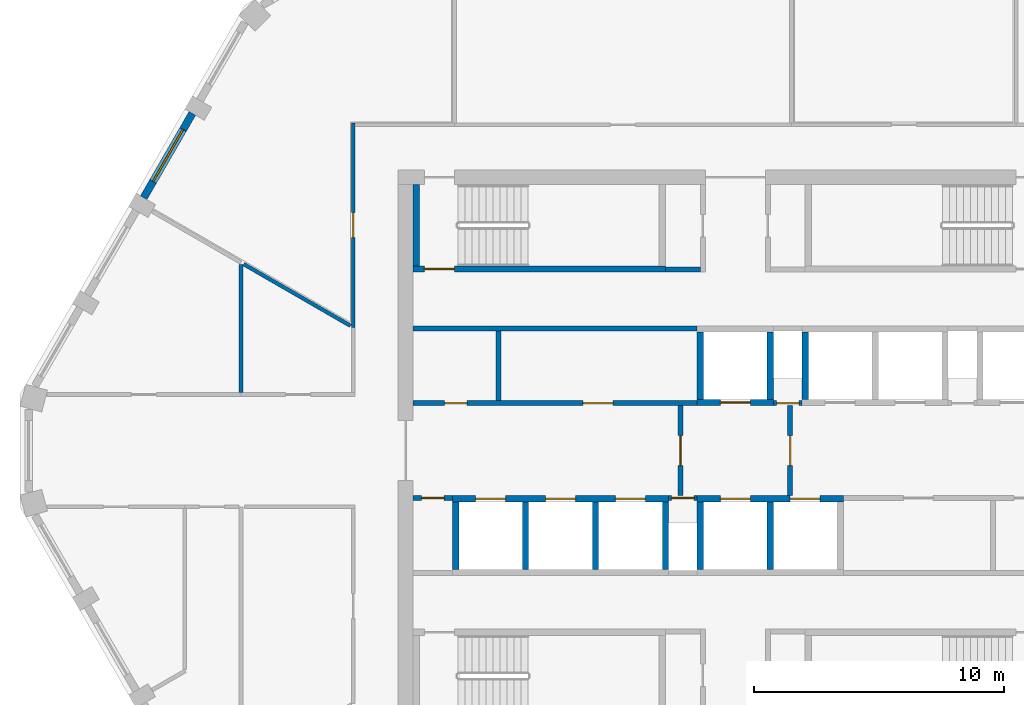
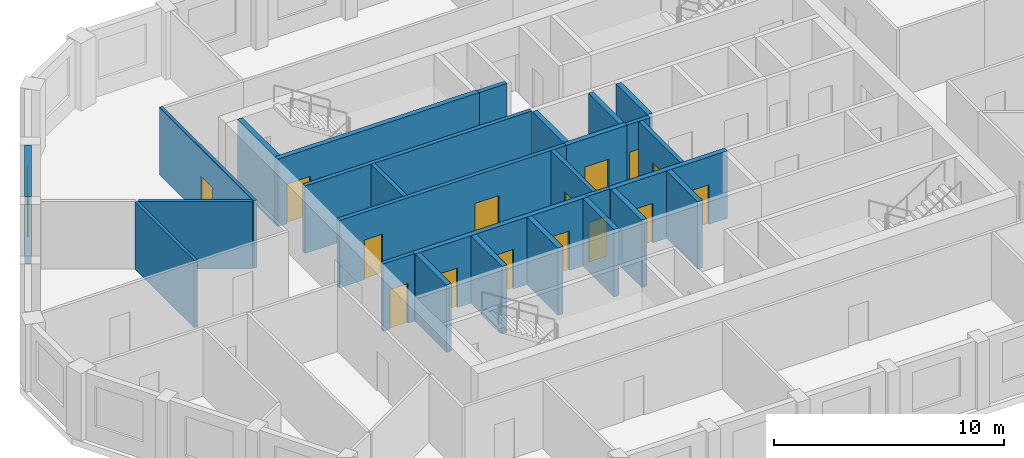
# One storey, part 3 of 10: 27 walls, 15 doors, 1 window, 16 openings.
"""IFC4 building model written with IfcOpenShell, lengths in metres."""

from ifc_helpers import new_model, si_unit, direction, frame, frame_2d, origin, place, context, subcontext, project, spatial, polyline, rectangle, outline, extrude, material, layer, layer_set, type_object, element, fill, save


model = new_model("IFC4")

# Units and contexts
model_context = context("Model", 3, precision=1e-05, world=origin(), true_north=direction((0.0, 1.0)))
body_context = subcontext(model_context, "Body", "Model", "MODEL_VIEW")
ifc_project = project(units=[si_unit("LENGTHUNIT", "METRE"), si_unit("AREAUNIT", "SQUARE_METRE"), si_unit("VOLUMEUNIT", "CUBIC_METRE"), si_unit("PLANEANGLEUNIT", "RADIAN"), si_unit("MASSUNIT", "GRAM", prefix="KILO")], contexts=[model_context])

# Site, building, storey
site_placement = place(None, origin())
site = spatial("IfcSite", under=ifc_project, at=site_placement, CompositionType="ELEMENT")
building_placement = place(site_placement, origin())
building = spatial("IfcBuilding", under=site, at=building_placement, Name="Dhurran Vertical Campus", CompositionType="ELEMENT")
storey_placement = place(building_placement, frame((0.0, 0.0, 298.199951171875)))
storey = spatial("IfcBuildingStorey", under=building, at=storey_placement, Name="L74", CompositionType="ELEMENT", Elevation=298.199951171875)

# Wall, opening, window
ifc_material_1 = material(Name="Precast concrete C50/60", Category="concrete")
ifc_layer_1 = layer(ifc_material_1, 0.300048828125)
ifc_layer_set_1 = layer_set([ifc_layer_1], Name="Precast concrete C50/60")
wall_type_1 = type_object("IfcWallType", Name="Precast spandrel wall 300", PredefinedType="SOLIDWALL", material=ifc_layer_set_1)
wall_1_placement = place(storey_placement, frame((-21.744384765625, 13.506103515625, 0.0), z_axis=(0.0, 0.0, 1.0), x_axis=(-0.499984428715, -0.866034393683, 0.0)))
wall_1 = element("IfcWall", 1, at=wall_1_placement, inside=storey, type_object=wall_type_1, Name="EW1 L74.27", PredefinedType="SOLIDWALL", context=body_context, shape_type="SweptSolid", body=[
    extrude(rectangle(XDim=3.89892578125, YDim=0.300048828125, at=frame_2d((1.949462890625, 0.0))), origin(), (0.0, 0.0, 1.0), 3.574951171875),
])
opening_1_placement = place(wall_1_placement, frame((0.74951171875, 0.0, 0.89990234375)))
opening_1 = element("IfcOpeningElement", 2, at=opening_1_placement, cuts=wall_1, Name="Opening WT1", PredefinedType="OPENING", context=body_context, shape_type="SweptSolid", body=[
    extrude(rectangle(XDim=2.39990234375, YDim=2.10009765625, at=frame_2d((1.199951171875, 1.050048828125))), frame((0.0, 0.159912109375, 0.0), z_axis=(0.0, -1.0, 0.0), x_axis=(1.0, 0.0, 0.0)), (0.0, 0.0, 1.0), 0.320068359375),
])
ifc_material_2 = material(Name="Aluminium frame with solar-control glass", Category="aluminium")
window_type = type_object("IfcWindowType", Name="Punched window 2400 x 2100", PartitioningType="SINGLE_PANEL", PredefinedType="WINDOW", material=ifc_material_2)
window_placement = place(opening_1_placement, origin())
window = element("IfcWindow", 3, at=window_placement, inside=storey, type_object=window_type, Name="WT1 L74.27", OverallHeight=2.10009765625, OverallWidth=2.39990234375, PartitioningType="SINGLE_PANEL", PredefinedType="WINDOW", context=body_context, shape_type="SweptSolid", body=[
    extrude(rectangle(XDim=2.39990234375, YDim=2.10009765625, at=frame_2d((1.199951171875, 1.050048828125))), frame((0.0, 0.030029296875, 0.0), z_axis=(0.0, -1.0, 0.0), x_axis=(1.0, 0.0, 0.0)), (0.0, 0.0, 1.0), 0.06005859375),
])
fill(opening_1, window)

# Wall, opening, door
ifc_material_3 = material(Name="Fire-rated masonry blockwork", Category="masonry")
ifc_layer_2 = layer(ifc_material_3, 0.199951171875)
ifc_layer_set_2 = layer_set([ifc_layer_2], Name="Fire-rated masonry blockwork")
wall_type_2 = type_object("IfcWallType", Name="co-FIRE-PARTITION-200", PredefinedType="PARTITIONING", material=ifc_layer_set_2)
wall_2_placement = place(storey_placement, frame((-2.199951171875, -1.800048828125, 0.0), z_axis=(0.0, 0.0, 1.0), x_axis=(0.0, 1.0, 0.0)))
wall_2 = element("IfcWall", 4, at=wall_2_placement, inside=storey, type_object=wall_type_2, Name="Firefighting lobby wall W L74", PredefinedType="PARTITIONING", context=body_context, shape_type="SweptSolid", body=[
    extrude(rectangle(XDim=3.60009765625, YDim=0.199951171875, at=frame_2d((1.800048828125, 0.0))), origin(), (0.0, 0.0, 1.0), 3.574951171875),
])
opening_2_placement = place(wall_2_placement, frame((1.199951171875, 0.0, 0.0)))
opening_2 = element("IfcOpeningElement", 5, at=opening_2_placement, cuts=wall_2, Name="Opening FL1", PredefinedType="OPENING", context=body_context, shape_type="SweptSolid", body=[
    extrude(rectangle(XDim=1.199951171875, YDim=2.10009765625, at=frame_2d((0.60009765625, 1.050048828125))), frame((0.0, 0.10986328125, 0.0), z_axis=(0.0, -1.0, 0.0), x_axis=(1.0, 0.0, 0.0)), (0.0, 0.0, 1.0), 0.219970703125),
])
ifc_material_4 = material(Name="Fire-rated steel door set", Category="steel")
door_type_1 = type_object("IfcDoorType", Name="co-D-FFLOBBY 1200x2100", OperationType="SINGLE_SWING_LEFT", PredefinedType="DOOR", material=ifc_material_4)
door_1_placement = place(opening_2_placement, origin())
door_1 = element("IfcDoor", 6, at=door_1_placement, inside=storey, type_object=door_type_1, Name="Firefighting lobby door W L74", OperationType="SINGLE_SWING_LEFT", OverallHeight=2.10009765625, OverallWidth=1.199951171875, PredefinedType="DOOR", context=body_context, shape_type="SweptSolid", body=[
    extrude(rectangle(XDim=1.199951171875, YDim=2.10009765625, at=frame_2d((0.60009765625, 1.050048828125))), frame((0.0, 0.02490234375, 0.0), z_axis=(0.0, -1.0, 0.0), x_axis=(1.0, 0.0, 0.0)), (0.0, 0.0, 1.0), 0.050048828125),
])
fill(opening_2, door_1)

wall_3_placement = place(storey_placement, frame((2.199951171875, -1.800048828125, 0.0), z_axis=(0.0, 0.0, 1.0), x_axis=(0.0, 1.0, 0.0)))
wall_3 = element("IfcWall", 7, at=wall_3_placement, inside=storey, type_object=wall_type_2, Name="Firefighting lobby wall E L74", PredefinedType="PARTITIONING", context=body_context, shape_type="SweptSolid", body=[
    extrude(rectangle(XDim=3.60009765625, YDim=0.199951171875, at=frame_2d((1.800048828125, 0.0))), origin(), (0.0, 0.0, 1.0), 3.574951171875),
])
opening_3_placement = place(wall_3_placement, frame((1.199951171875, 0.0, 0.0)))
opening_3 = element("IfcOpeningElement", 8, at=opening_3_placement, cuts=wall_3, Name="Opening FL2", PredefinedType="OPENING", context=body_context, shape_type="SweptSolid", body=[
    extrude(rectangle(XDim=1.199951171875, YDim=2.10009765625, at=frame_2d((0.60009765625, 1.050048828125))), frame((0.0, 0.10986328125, 0.0), z_axis=(0.0, -1.0, 0.0), x_axis=(1.0, 0.0, 0.0)), (0.0, 0.0, 1.0), 0.219970703125),
])
door_2_placement = place(opening_3_placement, origin())
door_2 = element("IfcDoor", 9, at=door_2_placement, inside=storey, type_object=door_type_1, Name="Firefighting lobby door E L74", OperationType="SINGLE_SWING_LEFT", OverallHeight=2.10009765625, OverallWidth=1.199951171875, PredefinedType="DOOR", context=body_context, shape_type="SweptSolid", body=[
    extrude(rectangle(XDim=1.199951171875, YDim=2.10009765625, at=frame_2d((0.60009765625, 1.050048828125))), frame((0.0, 0.02490234375, 0.0), z_axis=(0.0, -1.0, 0.0), x_axis=(1.0, 0.0, 0.0)), (0.0, 0.0, 1.0), 0.050048828125),
])
fill(opening_3, door_2)

# Walls
wall_4_placement = place(storey_placement, frame((-2.800048828125, 7.25, 0.0), z_axis=(0.0, 0.0, 1.0), x_axis=(1.0, 0.0, 0.0)))
element("IfcWall", 10, at=wall_4_placement, inside=storey, type_object=wall_type_2, Name="Core partition sl-NW-S L74", PredefinedType="PARTITIONING", context=body_context, shape_type="SweptSolid", body=[
    extrude(rectangle(XDim=1.400146484375, YDim=0.199951171875, at=frame_2d((0.7001953125, 0.0))), origin(), (0.0, 0.0, 1.0), 3.574951171875),
])
wall_5_placement = place(storey_placement, frame((-9.487548828125, 2.0, 0.0), z_axis=(0.0, 0.0, 1.0), x_axis=(0.0, 1.0, 0.0)))
element("IfcWall", 11, at=wall_5_placement, inside=storey, type_object=wall_type_2, Name="Core partition fr-N0-cut0 L74", PredefinedType="PARTITIONING", context=body_context, shape_type="SweptSolid", body=[
    extrude(rectangle(XDim=2.800048828125, YDim=0.199951171875, at=frame_2d((1.39990234375, 0.0))), origin(), (0.0, 0.0, 1.0), 3.574951171875),
])

# Wall, openings, doors
wall_6_placement = place(storey_placement, frame((-12.89990234375, 1.89990234375, 0.0), z_axis=(0.0, 0.0, 1.0), x_axis=(1.0, 0.0, 0.0)))
wall_6 = element("IfcWall", 12, at=wall_6_placement, inside=storey, type_object=wall_type_2, Name="Core partition fr-N0-f L74", PredefinedType="PARTITIONING", context=body_context, shape_type="SweptSolid", body=[
    extrude(rectangle(XDim=11.375, YDim=0.199951171875, at=frame_2d((5.6875, 0.0))), origin(), (0.0, 0.0, 1.0), 3.574951171875),
])
opening_4_placement = place(wall_6_placement, frame((1.25634765625, 0.0, 0.0)))
opening_4 = element("IfcOpeningElement", 13, at=opening_4_placement, cuts=wall_6, Name="Opening T22-C5", PredefinedType="OPENING", context=body_context, shape_type="SweptSolid", body=[
    extrude(rectangle(XDim=0.89990234375, YDim=2.10009765625, at=frame_2d((0.449951171875, 1.050048828125))), frame((0.0, 0.10986328125, 0.0), z_axis=(0.0, -1.0, 0.0), x_axis=(1.0, 0.0, 0.0)), (0.0, 0.0, 1.0), 0.219970703125),
])
opening_5_placement = place(wall_6_placement, frame((6.793701171875, 0.0, 0.0)))
opening_5 = element("IfcOpeningElement", 14, at=opening_5_placement, cuts=wall_6, Name="Opening T22-C6", PredefinedType="OPENING", context=body_context, shape_type="SweptSolid", body=[
    extrude(rectangle(XDim=1.199951171875, YDim=2.10009765625, at=frame_2d((0.60009765625, 1.050048828125))), frame((0.0, 0.10986328125, 0.0), z_axis=(0.0, -1.0, 0.0), x_axis=(1.0, 0.0, 0.0)), (0.0, 0.0, 1.0), 0.219970703125),
])
ifc_material_5 = material(Name="Fire-rated timber door set", Category="wood")
door_type_2 = type_object("IfcDoorType", Name="co-D-ROOM 900x2100", OperationType="SINGLE_SWING_LEFT", PredefinedType="DOOR", material=ifc_material_5)
door_3_placement = place(opening_4_placement, origin())
door_3 = element("IfcDoor", 15, at=door_3_placement, inside=storey, type_object=door_type_2, Name="Communications room door L74", OperationType="SINGLE_SWING_LEFT", OverallHeight=2.10009765625, OverallWidth=0.89990234375, PredefinedType="DOOR", context=body_context, shape_type="SweptSolid", body=[
    extrude(rectangle(XDim=0.89990234375, YDim=2.10009765625, at=frame_2d((0.449951171875, 1.050048828125))), frame((0.0, 0.02490234375, 0.0), z_axis=(0.0, -1.0, 0.0), x_axis=(1.0, 0.0, 0.0)), (0.0, 0.0, 1.0), 0.050048828125),
])
fill(opening_4, door_3)
ifc_material_6 = material(Name="Fire-rated steel door set", Category="steel")
door_type_3 = type_object("IfcDoorType", Name="co-D-ROOM-PASSAGE 1200x2100", OperationType="SINGLE_SWING_RIGHT", PredefinedType="DOOR", material=ifc_material_6)
door_4_placement = place(opening_5_placement, origin())
door_4 = element("IfcDoor", 16, at=door_4_placement, inside=storey, type_object=door_type_3, Name="Plant room door L74", OperationType="SINGLE_SWING_RIGHT", OverallHeight=2.10009765625, OverallWidth=1.199951171875, PredefinedType="DOOR", context=body_context, shape_type="SweptSolid", body=[
    extrude(rectangle(XDim=1.199951171875, YDim=2.10009765625, at=frame_2d((0.60009765625, 1.050048828125))), frame((0.0, 0.02490234375, 0.0), z_axis=(0.0, -1.0, 0.0), x_axis=(1.0, 0.0, 0.0)), (0.0, 0.0, 1.0), 0.050048828125),
])
fill(opening_5, door_4)

# Wall
wall_7_placement = place(storey_placement, frame((-12.89990234375, 4.89990234375, 0.0), z_axis=(0.0, 0.0, 1.0), x_axis=(1.0, 0.0, 0.0)))
element("IfcWall", 17, at=wall_7_placement, inside=storey, type_object=wall_type_2, Name="Core partition fr-N0-b L74", PredefinedType="PARTITIONING", context=body_context, shape_type="SweptSolid", body=[
    extrude(rectangle(XDim=11.375, YDim=0.199951171875, at=frame_2d((5.6875, 0.0))), origin(), (0.0, 0.0, 1.0), 3.574951171875),
])

# Wall, opening, door
wall_8_placement = place(storey_placement, frame((1.52490234375, 1.89990234375, 0.0), z_axis=(0.0, 0.0, 1.0), x_axis=(1.0, 0.0, 0.0)))
wall_8 = element("IfcWall", 18, at=wall_8_placement, inside=storey, type_object=wall_type_2, Name="Core partition fr-N1-f L74", PredefinedType="PARTITIONING", context=body_context, shape_type="SweptSolid", body=[
    extrude(rectangle(XDim=1.150146484375, YDim=0.199951171875, at=frame_2d((0.5751953125, 0.0))), origin(), (0.0, 0.0, 1.0), 3.574951171875),
])
opening_6_placement = place(wall_8_placement, frame((0.125, 0.0, 0.0)))
opening_6 = element("IfcOpeningElement", 19, at=opening_6_placement, cuts=wall_8, Name="Opening T22-C7", PredefinedType="OPENING", context=body_context, shape_type="SweptSolid", body=[
    extrude(rectangle(XDim=0.89990234375, YDim=2.10009765625, at=frame_2d((0.449951171875, 1.050048828125))), frame((0.0, 0.10986328125, 0.0), z_axis=(0.0, -1.0, 0.0), x_axis=(1.0, 0.0, 0.0)), (0.0, 0.0, 1.0), 0.219970703125),
])
door_5_placement = place(opening_6_placement, origin())
door_5 = element("IfcDoor", 20, at=door_5_placement, inside=storey, type_object=door_type_2, Name="Water riser door L74", OperationType="SINGLE_SWING_LEFT", OverallHeight=2.10009765625, OverallWidth=0.89990234375, PredefinedType="DOOR", context=body_context, shape_type="SweptSolid", body=[
    extrude(rectangle(XDim=0.89990234375, YDim=2.10009765625, at=frame_2d((0.449951171875, 1.050048828125))), frame((0.0, 0.02490234375, 0.0), z_axis=(0.0, -1.0, 0.0), x_axis=(1.0, 0.0, 0.0)), (0.0, 0.0, 1.0), 0.050048828125),
])
fill(opening_6, door_5)

wall_9_placement = place(storey_placement, frame((-12.89990234375, -1.89990234375, 0.0), z_axis=(0.0, 0.0, 1.0), x_axis=(1.0, 0.0, 0.0)))
wall_9 = element("IfcWall", 21, at=wall_9_placement, inside=storey, type_object=wall_type_2, Name="Core partition fr-S0-f L74", PredefinedType="PARTITIONING", context=body_context, shape_type="SweptSolid", body=[
    extrude(rectangle(XDim=1.574951171875, YDim=0.199951171875, at=frame_2d((0.78759765625, 0.0))), origin(), (0.0, 0.0, 1.0), 3.574951171875),
])
opening_7_placement = place(wall_9_placement, frame((0.33740234375, 0.0, 0.0)))
opening_7 = element("IfcOpeningElement", 22, at=opening_7_placement, cuts=wall_9, Name="Opening T22-C9", PredefinedType="OPENING", context=body_context, shape_type="SweptSolid", body=[
    extrude(rectangle(XDim=0.89990234375, YDim=2.10009765625, at=frame_2d((0.449951171875, 1.050048828125))), frame((0.0, 0.10986328125, 0.0), z_axis=(0.0, -1.0, 0.0), x_axis=(1.0, 0.0, 0.0)), (0.0, 0.0, 1.0), 0.219970703125),
])
door_6_placement = place(opening_7_placement, origin())
door_6 = element("IfcDoor", 23, at=door_6_placement, inside=storey, type_object=door_type_2, Name="Water riser door L74", OperationType="SINGLE_SWING_LEFT", OverallHeight=2.10009765625, OverallWidth=0.89990234375, PredefinedType="DOOR", context=body_context, shape_type="SweptSolid", body=[
    extrude(rectangle(XDim=0.89990234375, YDim=2.10009765625, at=frame_2d((0.449951171875, 1.050048828125))), frame((0.0, 0.02490234375, 0.0), z_axis=(0.0, -1.0, 0.0), x_axis=(1.0, 0.0, 0.0)), (0.0, 0.0, 1.0), 0.050048828125),
])
fill(opening_7, door_6)

wall_10_placement = place(storey_placement, frame((-2.675048828125, -1.89990234375, 0.0), z_axis=(0.0, 0.0, 1.0), x_axis=(1.0, 0.0, 0.0)))
wall_10 = element("IfcWall", 24, at=wall_10_placement, inside=storey, type_object=wall_type_2, Name="Core partition fr-S1-f L74", PredefinedType="PARTITIONING", context=body_context, shape_type="SweptSolid", body=[
    extrude(rectangle(XDim=1.150146484375, YDim=0.199951171875, at=frame_2d((0.5751953125, 0.0))), origin(), (0.0, 0.0, 1.0), 3.574951171875),
])
opening_8_placement = place(wall_10_placement, frame((0.125, 0.0, 0.0)))
opening_8 = element("IfcOpeningElement", 25, at=opening_8_placement, cuts=wall_10, Name="Opening T22-C10", PredefinedType="OPENING", context=body_context, shape_type="SweptSolid", body=[
    extrude(rectangle(XDim=0.89990234375, YDim=2.10009765625, at=frame_2d((0.449951171875, 1.050048828125))), frame((0.0, 0.10986328125, 0.0), z_axis=(0.0, -1.0, 0.0), x_axis=(1.0, 0.0, 0.0)), (0.0, 0.0, 1.0), 0.219970703125),
])
door_7_placement = place(opening_8_placement, origin())
door_7 = element("IfcDoor", 26, at=door_7_placement, inside=storey, type_object=door_type_2, Name="Electrical riser door L74", OperationType="SINGLE_SWING_LEFT", OverallHeight=2.10009765625, OverallWidth=0.89990234375, PredefinedType="DOOR", context=body_context, shape_type="SweptSolid", body=[
    extrude(rectangle(XDim=0.89990234375, YDim=2.10009765625, at=frame_2d((0.449951171875, 1.050048828125))), frame((0.0, 0.02490234375, 0.0), z_axis=(0.0, -1.0, 0.0), x_axis=(1.0, 0.0, 0.0)), (0.0, 0.0, 1.0), 0.050048828125),
])
fill(opening_8, door_7)

ifc_material_7 = material(Name="Concrete C50/60", Category="concrete")
ifc_layer_3 = layer(ifc_material_7, 0.25)
ifc_layer_set_3 = layer_set([ifc_layer_3], Name="Concrete C50/60")
wall_type_3 = type_object("IfcWallType", Name="co-SHAFT-FRONT-250", PredefinedType="SHEAR", material=ifc_layer_set_3)
wall_11_placement = place(storey_placement, frame((-1.52490234375, 1.925048828125, 0.0), z_axis=(0.0, 0.0, 1.0), x_axis=(1.0, 0.0, 0.0)))
wall_11 = element("IfcWall", 27, at=wall_11_placement, inside=storey, type_object=wall_type_3, Name="Lift landing wall N L74", PredefinedType="SHEAR", context=body_context, shape_type="SweptSolid", body=[
    extrude(rectangle(XDim=3.0498046875, YDim=0.25, at=frame_2d((1.52490234375, 0.0))), origin(), (0.0, 0.0, 1.0), 3.574951171875),
])
opening_9_placement = place(wall_11_placement, frame((0.925048828125, 0.0, 0.0)))
opening_9 = element("IfcOpeningElement", 28, at=opening_9_placement, cuts=wall_11, Name="Opening LD", PredefinedType="OPENING", context=body_context, shape_type="SweptSolid", body=[
    extrude(rectangle(XDim=1.199951171875, YDim=2.10009765625, at=frame_2d((0.60009765625, 1.050048828125))), frame((0.0, 0.135009765625, 0.0), z_axis=(0.0, -1.0, 0.0), x_axis=(1.0, 0.0, 0.0)), (0.0, 0.0, 1.0), 0.27001953125),
])
ifc_material_8 = material(Name="Stainless steel landing door", Category="steel")
door_type_4 = type_object("IfcDoorType", Name="co-D-LANDING 1200x2100", OperationType="DOUBLE_DOOR_SLIDING", PredefinedType="DOOR", material=ifc_material_8)
door_8_placement = place(opening_9_placement, origin())
door_8 = element("IfcDoor", 29, at=door_8_placement, inside=storey, type_object=door_type_4, Name="Landing door FF1 L74", OperationType="DOUBLE_DOOR_SLIDING", OverallHeight=2.10009765625, OverallWidth=1.199951171875, PredefinedType="DOOR", context=body_context, shape_type="SweptSolid", body=[
    extrude(rectangle(XDim=1.199951171875, YDim=2.10009765625, at=frame_2d((0.60009765625, 1.050048828125))), frame((0.0, 0.02490234375, 0.0), z_axis=(0.0, -1.0, 0.0), x_axis=(1.0, 0.0, 0.0)), (0.0, 0.0, 1.0), 0.050048828125),
])
fill(opening_9, door_8)

# Wall, openings, doors
wall_12_placement = place(storey_placement, frame((-11.324951171875, -1.925048828125, 0.0), z_axis=(0.0, 0.0, 1.0), x_axis=(1.0, 0.0, 0.0)))
wall_12 = element("IfcWall", 30, at=wall_12_placement, inside=storey, type_object=wall_type_3, Name="Lift landing wall S L74", PredefinedType="SHEAR", context=body_context, shape_type="SweptSolid", body=[
    extrude(rectangle(XDim=8.64990234375, YDim=0.25, at=frame_2d((4.324951171875, 0.0))), origin(), (0.0, 0.0, 1.0), 3.574951171875),
])
opening_10_placement = place(wall_12_placement, frame((0.925048828125, 0.0, 0.0)))
opening_10 = element("IfcOpeningElement", 31, at=opening_10_placement, cuts=wall_12, Name="Opening LD", PredefinedType="OPENING", context=body_context, shape_type="SweptSolid", body=[
    extrude(rectangle(XDim=1.199951171875, YDim=2.10009765625, at=frame_2d((0.60009765625, 1.050048828125))), frame((0.0, 0.135009765625, 0.0), z_axis=(0.0, -1.0, 0.0), x_axis=(1.0, 0.0, 0.0)), (0.0, 0.0, 1.0), 0.27001953125),
])
opening_11_placement = place(wall_12_placement, frame((3.72509765625, 0.0, 0.0)))
opening_11 = element("IfcOpeningElement", 32, at=opening_11_placement, cuts=wall_12, Name="Opening LD", PredefinedType="OPENING", context=body_context, shape_type="SweptSolid", body=[
    extrude(rectangle(XDim=1.199951171875, YDim=2.10009765625, at=frame_2d((0.60009765625, 1.050048828125))), frame((0.0, 0.135009765625, 0.0), z_axis=(0.0, -1.0, 0.0), x_axis=(1.0, 0.0, 0.0)), (0.0, 0.0, 1.0), 0.27001953125),
])
opening_12_placement = place(wall_12_placement, frame((6.52490234375, 0.0, 0.0)))
opening_12 = element("IfcOpeningElement", 33, at=opening_12_placement, cuts=wall_12, Name="Opening LD", PredefinedType="OPENING", context=body_context, shape_type="SweptSolid", body=[
    extrude(rectangle(XDim=1.199951171875, YDim=2.10009765625, at=frame_2d((0.60009765625, 1.050048828125))), frame((0.0, 0.135009765625, 0.0), z_axis=(0.0, -1.0, 0.0), x_axis=(1.0, 0.0, 0.0)), (0.0, 0.0, 1.0), 0.27001953125),
])
door_9_placement = place(opening_10_placement, origin())
door_9 = element("IfcDoor", 34, at=door_9_placement, inside=storey, type_object=door_type_4, Name="Landing door HR3 L74", OperationType="DOUBLE_DOOR_SLIDING", OverallHeight=2.10009765625, OverallWidth=1.199951171875, PredefinedType="DOOR", context=body_context, shape_type="SweptSolid", body=[
    extrude(rectangle(XDim=1.199951171875, YDim=2.10009765625, at=frame_2d((0.60009765625, 1.050048828125))), frame((0.0, 0.02490234375, 0.0), z_axis=(0.0, -1.0, 0.0), x_axis=(1.0, 0.0, 0.0)), (0.0, 0.0, 1.0), 0.050048828125),
])
fill(opening_10, door_9)
door_10_placement = place(opening_11_placement, origin())
door_10 = element("IfcDoor", 35, at=door_10_placement, inside=storey, type_object=door_type_4, Name="Landing door HR4 L74", OperationType="DOUBLE_DOOR_SLIDING", OverallHeight=2.10009765625, OverallWidth=1.199951171875, PredefinedType="DOOR", context=body_context, shape_type="SweptSolid", body=[
    extrude(rectangle(XDim=1.199951171875, YDim=2.10009765625, at=frame_2d((0.60009765625, 1.050048828125))), frame((0.0, 0.02490234375, 0.0), z_axis=(0.0, -1.0, 0.0), x_axis=(1.0, 0.0, 0.0)), (0.0, 0.0, 1.0), 0.050048828125),
])
fill(opening_11, door_10)
door_11_placement = place(opening_12_placement, origin())
door_11 = element("IfcDoor", 36, at=door_11_placement, inside=storey, type_object=door_type_4, Name="Landing door HR5 L74", OperationType="DOUBLE_DOOR_SLIDING", OverallHeight=2.10009765625, OverallWidth=1.199951171875, PredefinedType="DOOR", context=body_context, shape_type="SweptSolid", body=[
    extrude(rectangle(XDim=1.199951171875, YDim=2.10009765625, at=frame_2d((0.60009765625, 1.050048828125))), frame((0.0, 0.02490234375, 0.0), z_axis=(0.0, -1.0, 0.0), x_axis=(1.0, 0.0, 0.0)), (0.0, 0.0, 1.0), 0.050048828125),
])
fill(opening_12, door_11)

wall_13_placement = place(storey_placement, frame((-1.52490234375, -1.925048828125, 0.0), z_axis=(0.0, 0.0, 1.0), x_axis=(1.0, 0.0, 0.0)))
wall_13 = element("IfcWall", 37, at=wall_13_placement, inside=storey, type_object=wall_type_3, Name="Lift landing wall S L74", PredefinedType="SHEAR", context=body_context, shape_type="SweptSolid", body=[
    extrude(rectangle(XDim=5.849853515625, YDim=0.25, at=frame_2d((2.9248046875, 0.0))), origin(), (0.0, 0.0, 1.0), 3.574951171875),
])
opening_13_placement = place(wall_13_placement, frame((0.925048828125, 0.0, 0.0)))
opening_13 = element("IfcOpeningElement", 38, at=opening_13_placement, cuts=wall_13, Name="Opening LD", PredefinedType="OPENING", context=body_context, shape_type="SweptSolid", body=[
    extrude(rectangle(XDim=1.199951171875, YDim=2.10009765625, at=frame_2d((0.60009765625, 1.050048828125))), frame((0.0, 0.135009765625, 0.0), z_axis=(0.0, -1.0, 0.0), x_axis=(1.0, 0.0, 0.0)), (0.0, 0.0, 1.0), 0.27001953125),
])
opening_14_placement = place(wall_13_placement, frame((3.72509765625, 0.0, 0.0)))
opening_14 = element("IfcOpeningElement", 39, at=opening_14_placement, cuts=wall_13, Name="Opening LD", PredefinedType="OPENING", context=body_context, shape_type="SweptSolid", body=[
    extrude(rectangle(XDim=1.199951171875, YDim=2.10009765625, at=frame_2d((0.60009765625, 1.050048828125))), frame((0.0, 0.135009765625, 0.0), z_axis=(0.0, -1.0, 0.0), x_axis=(1.0, 0.0, 0.0)), (0.0, 0.0, 1.0), 0.27001953125),
])
door_12_placement = place(opening_13_placement, origin())
door_12 = element("IfcDoor", 40, at=door_12_placement, inside=storey, type_object=door_type_4, Name="Landing door FF2 L74", OperationType="DOUBLE_DOOR_SLIDING", OverallHeight=2.10009765625, OverallWidth=1.199951171875, PredefinedType="DOOR", context=body_context, shape_type="SweptSolid", body=[
    extrude(rectangle(XDim=1.199951171875, YDim=2.10009765625, at=frame_2d((0.60009765625, 1.050048828125))), frame((0.0, 0.02490234375, 0.0), z_axis=(0.0, -1.0, 0.0), x_axis=(1.0, 0.0, 0.0)), (0.0, 0.0, 1.0), 0.050048828125),
])
fill(opening_13, door_12)
door_13_placement = place(opening_14_placement, origin())
door_13 = element("IfcDoor", 41, at=door_13_placement, inside=storey, type_object=door_type_4, Name="Landing door SV1 L74", OperationType="DOUBLE_DOOR_SLIDING", OverallHeight=2.10009765625, OverallWidth=1.199951171875, PredefinedType="DOOR", context=body_context, shape_type="SweptSolid", body=[
    extrude(rectangle(XDim=1.199951171875, YDim=2.10009765625, at=frame_2d((0.60009765625, 1.050048828125))), frame((0.0, 0.02490234375, 0.0), z_axis=(0.0, -1.0, 0.0), x_axis=(1.0, 0.0, 0.0)), (0.0, 0.0, 1.0), 0.050048828125),
])
fill(opening_14, door_13)

# Walls
ifc_material_9 = material(Name="Concrete C50/60", Category="concrete")
ifc_layer_4 = layer(ifc_material_9, 0.25)
ifc_layer_set_4 = layer_set([ifc_layer_4], Name="Concrete C50/60")
wall_type_4 = type_object("IfcWallType", Name="co-SHAFT-MASS-250", PredefinedType="SHEAR", material=ifc_layer_set_4)
wall_14_placement = place(storey_placement, origin())
element("IfcWall", 42, at=wall_14_placement, inside=storey, type_object=wall_type_4, Name="Lift shaft wall N L74 4", PredefinedType="SHEAR", context=body_context, shape_type="SweptSolid", body=[
    extrude(outline(polyline([(-1.52490234375, 2.050048828125), (-1.27490234375, 2.050048828125), (-1.27490234375, 4.75), (-1.52490234375, 4.75), (-1.52490234375, 2.050048828125)])), origin(), (0.0, 0.0, 1.0), 3.574951171875),
])
wall_15_placement = place(storey_placement, origin())
element("IfcWall", 43, at=wall_15_placement, inside=storey, type_object=wall_type_4, Name="Lift shaft wall N L74 5", PredefinedType="SHEAR", context=body_context, shape_type="SweptSolid", body=[
    extrude(outline(polyline([(1.27490234375, 2.050048828125), (1.52490234375, 2.050048828125), (1.52490234375, 4.75), (1.27490234375, 4.75), (1.27490234375, 2.050048828125)])), origin(), (0.0, 0.0, 1.0), 3.574951171875),
])
wall_16_placement = place(storey_placement, origin())
element("IfcWall", 44, at=wall_16_placement, inside=storey, type_object=wall_type_4, Name="Lift shaft wall N L74 6", PredefinedType="SHEAR", context=body_context, shape_type="SweptSolid", body=[
    extrude(outline(polyline([(2.675048828125, 2.050048828125), (2.925048828125, 2.050048828125), (2.925048828125, 4.75), (2.675048828125, 4.75), (2.675048828125, 2.050048828125)])), origin(), (0.0, 0.0, 1.0), 3.574951171875),
])
wall_17_placement = place(storey_placement, origin())
element("IfcWall", 45, at=wall_17_placement, inside=storey, type_object=wall_type_4, Name="Lift shaft wall S L74 3", PredefinedType="SHEAR", context=body_context, shape_type="SweptSolid", body=[
    extrude(outline(polyline([(-11.324951171875, -4.75), (-11.074951171875, -4.75), (-11.074951171875, -2.050048828125), (-11.324951171875, -2.050048828125), (-11.324951171875, -4.75)])), origin(), (0.0, 0.0, 1.0), 3.574951171875),
])
wall_18_placement = place(storey_placement, origin())
element("IfcWall", 46, at=wall_18_placement, inside=storey, type_object=wall_type_4, Name="Lift shaft wall S L74 4", PredefinedType="SHEAR", context=body_context, shape_type="SweptSolid", body=[
    extrude(outline(polyline([(-8.52490234375, -4.75), (-8.27490234375, -4.75), (-8.27490234375, -2.050048828125), (-8.52490234375, -2.050048828125), (-8.52490234375, -4.75)])), origin(), (0.0, 0.0, 1.0), 3.574951171875),
])
wall_19_placement = place(storey_placement, origin())
element("IfcWall", 47, at=wall_19_placement, inside=storey, type_object=wall_type_4, Name="Lift shaft wall S L74 5", PredefinedType="SHEAR", context=body_context, shape_type="SweptSolid", body=[
    extrude(outline(polyline([(-5.72509765625, -4.75), (-5.47509765625, -4.75), (-5.47509765625, -2.050048828125), (-5.72509765625, -2.050048828125), (-5.72509765625, -4.75)])), origin(), (0.0, 0.0, 1.0), 3.574951171875),
])
wall_20_placement = place(storey_placement, origin())
element("IfcWall", 48, at=wall_20_placement, inside=storey, type_object=wall_type_4, Name="Lift shaft wall S L74 6", PredefinedType="SHEAR", context=body_context, shape_type="SweptSolid", body=[
    extrude(outline(polyline([(-2.925048828125, -4.75), (-2.675048828125, -4.75), (-2.675048828125, -2.050048828125), (-2.925048828125, -2.050048828125), (-2.925048828125, -4.75)])), origin(), (0.0, 0.0, 1.0), 3.574951171875),
])
wall_21_placement = place(storey_placement, origin())
element("IfcWall", 49, at=wall_21_placement, inside=storey, type_object=wall_type_4, Name="Lift shaft wall S L74 7", PredefinedType="SHEAR", context=body_context, shape_type="SweptSolid", body=[
    extrude(outline(polyline([(-1.52490234375, -4.75), (-1.27490234375, -4.75), (-1.27490234375, -2.050048828125), (-1.52490234375, -2.050048828125), (-1.52490234375, -4.75)])), origin(), (0.0, 0.0, 1.0), 3.574951171875),
])
wall_22_placement = place(storey_placement, origin())
element("IfcWall", 50, at=wall_22_placement, inside=storey, type_object=wall_type_4, Name="Lift shaft wall S L74 8", PredefinedType="SHEAR", context=body_context, shape_type="SweptSolid", body=[
    extrude(outline(polyline([(1.27490234375, -4.75), (1.52490234375, -4.75), (1.52490234375, -2.050048828125), (1.27490234375, -2.050048828125), (1.27490234375, -4.75)])), origin(), (0.0, 0.0, 1.0), 3.574951171875),
])

# Wall, opening, door
ifc_material_10 = material(Name="Concrete C40/50", Category="concrete")
ifc_layer_5 = layer(ifc_material_10, 0.25)
ifc_layer_set_5 = layer_set([ifc_layer_5], Name="Concrete C40/50")
wall_type_5 = type_object("IfcWallType", Name="co-STAIR-WALL-250", PredefinedType="SHEAR", material=ifc_layer_set_5)
wall_23_placement = place(storey_placement, frame((-12.89990234375, 7.27490234375, 0.0), z_axis=(0.0, 0.0, 1.0), x_axis=(1.0, 0.0, 0.0)))
wall_23 = element("IfcWall", 51, at=wall_23_placement, inside=storey, type_object=wall_type_5, Name="Stair ST1 enclosure wall L74", PredefinedType="SHEAR", context=body_context, shape_type="SweptSolid", body=[
    extrude(rectangle(XDim=10.099853515625, YDim=0.25, at=frame_2d((5.0498046875, 0.0))), origin(), (0.0, 0.0, 1.0), 3.574951171875),
])
opening_15_placement = place(wall_23_placement, frame((0.449951171875, 0.0, 0.0)))
opening_15 = element("IfcOpeningElement", 52, at=opening_15_placement, cuts=wall_23, Name="Opening SD1", PredefinedType="OPENING", context=body_context, shape_type="SweptSolid", body=[
    extrude(rectangle(XDim=1.199951171875, YDim=2.10009765625, at=frame_2d((0.60009765625, 1.050048828125))), frame((0.0, 0.135009765625, 0.0), z_axis=(0.0, -1.0, 0.0), x_axis=(1.0, 0.0, 0.0)), (0.0, 0.0, 1.0), 0.27001953125),
])
ifc_material_11 = material(Name="Fire-rated steel door set", Category="steel")
door_type_5 = type_object("IfcDoorType", Name="co-D-STAIR 1200x2100", OperationType="SINGLE_SWING_LEFT", PredefinedType="DOOR", material=ifc_material_11)
door_14_placement = place(opening_15_placement, origin())
door_14 = element("IfcDoor", 53, at=door_14_placement, inside=storey, type_object=door_type_5, Name="Stair ST1 door L74", OperationType="SINGLE_SWING_LEFT", OverallHeight=2.10009765625, OverallWidth=1.199951171875, PredefinedType="DOOR", context=body_context, shape_type="SweptSolid", body=[
    extrude(rectangle(XDim=1.199951171875, YDim=2.10009765625, at=frame_2d((0.60009765625, 1.050048828125))), frame((0.0, 0.02490234375, 0.0), z_axis=(0.0, -1.0, 0.0), x_axis=(1.0, 0.0, 0.0)), (0.0, 0.0, 1.0), 0.050048828125),
])
fill(opening_15, door_14)

# Wall
wall_24_placement = place(storey_placement, frame((-12.77490234375, 7.39990234375, 0.0), z_axis=(0.0, 0.0, 1.0), x_axis=(0.0, 1.0, 0.0)))
element("IfcWall", 54, at=wall_24_placement, inside=storey, type_object=wall_type_5, Name="Stair ST1 enclosure wall L74", PredefinedType="SHEAR", context=body_context, shape_type="SweptSolid", body=[
    extrude(rectangle(XDim=3.25, YDim=0.25, at=frame_2d((1.625, 0.0))), origin(), (0.0, 0.0, 1.0), 3.574951171875),
])

# Wall, opening, door
ifc_material_12 = material(Name="Gypsum board corridor wall on steel studs", Category="steel")
ifc_layer_6 = layer(ifc_material_12, 0.14990234375)
ifc_layer_set_6 = layer_set([ifc_layer_6], Name="Gypsum board corridor wall on steel studs")
wall_type_6 = type_object("IfcWallType", Name="fl-CW-150 corridor wall", PredefinedType="PARTITIONING", material=ifc_layer_set_6)
wall_25_placement = place(storey_placement, frame((-15.300048828125, 13.125, 0.0), z_axis=(0.0, 0.0, 1.0), x_axis=(0.0, -1.0, 0.0)))
wall_25 = element("IfcWall", 55, at=wall_25_placement, inside=storey, type_object=wall_type_6, Name="Partition 74-18", PredefinedType="PARTITIONING", context=body_context, shape_type="SweptSolid", body=[
    extrude(rectangle(XDim=8.18896484375, YDim=0.14990234375, at=frame_2d((4.094482421875, 0.0))), origin(), (0.0, 0.0, 1.0), 3.574951171875),
])
opening_16_placement = place(wall_25_placement, frame((3.594482421875, 0.0, 0.0)))
opening_16 = element("IfcOpeningElement", 56, at=opening_16_placement, cuts=wall_25, Name="Opening T22.06", PredefinedType="OPENING", context=body_context, shape_type="SweptSolid", body=[
    extrude(rectangle(XDim=1.0, YDim=2.10009765625, at=frame_2d((0.5, 1.050048828125))), frame((0.0, 0.0849609375, 0.0), z_axis=(0.0, -1.0, 0.0), x_axis=(1.0, 0.0, 0.0)), (0.0, 0.0, 1.0), 0.169921875),
])
ifc_material_13 = material(Name="Solid-core timber door set, fire-rated", Category="wood")
door_type_6 = type_object("IfcDoorType", Name="fl-D-1000x2100", OperationType="SINGLE_SWING_LEFT", PredefinedType="DOOR", material=ifc_material_13)
door_15_placement = place(opening_16_placement, origin())
door_15 = element("IfcDoor", 57, at=door_15_placement, inside=storey, type_object=door_type_6, Name="Door 74.06", OperationType="SINGLE_SWING_LEFT", OverallHeight=2.10009765625, OverallWidth=1.0, PredefinedType="DOOR", context=body_context, shape_type="SweptSolid", body=[
    extrude(rectangle(XDim=1.0, YDim=2.10009765625, at=frame_2d((0.5, 1.050048828125))), frame((0.0, 0.02490234375, 0.0), z_axis=(0.0, -1.0, 0.0), x_axis=(1.0, 0.0, 0.0)), (0.0, 0.0, 1.0), 0.050048828125),
])
fill(opening_16, door_15)

# Walls
ifc_material_14 = material(Name="Gypsum board partition on steel studs", Category="steel")
ifc_layer_7 = layer(ifc_material_14, 0.14990234375)
ifc_layer_set_7 = layer_set([ifc_layer_7], Name="Gypsum board partition on steel studs")
wall_type_7 = type_object("IfcWallType", Name="fl-PW-150 fixed partition", PredefinedType="PARTITIONING", material=ifc_layer_set_7)
wall_26_placement = place(storey_placement, frame((-19.800048828125, 7.458984375, 0.0), z_axis=(0.0, 0.0, 1.0), x_axis=(0.0, -1.0, 0.0)))
element("IfcWall", 58, at=wall_26_placement, inside=storey, type_object=wall_type_7, Name="Partition 74-10", PredefinedType="PARTITIONING", context=body_context, shape_type="SweptSolid", body=[
    extrude(rectangle(XDim=5.134033203125, YDim=0.14990234375, at=frame_2d((2.56689453125, 0.0))), origin(), (0.0, 0.0, 1.0), 3.574951171875),
])
wall_27_placement = place(storey_placement, frame((-19.6875, 7.468994140625, 0.0), z_axis=(0.0, 0.0, 1.0), x_axis=(0.866034039096, -0.499985042903, 0.0)))
element("IfcWall", 59, at=wall_27_placement, inside=storey, type_object=wall_type_7, Name="Partition 74-12", PredefinedType="PARTITIONING", context=body_context, shape_type="SweptSolid", body=[
    extrude(rectangle(XDim=4.936279296875, YDim=0.14990234375, at=frame_2d((2.46826171875, 0.0))), origin(), (0.0, 0.0, 1.0), 3.574951171875),
])

save(model, "model.ifc")
